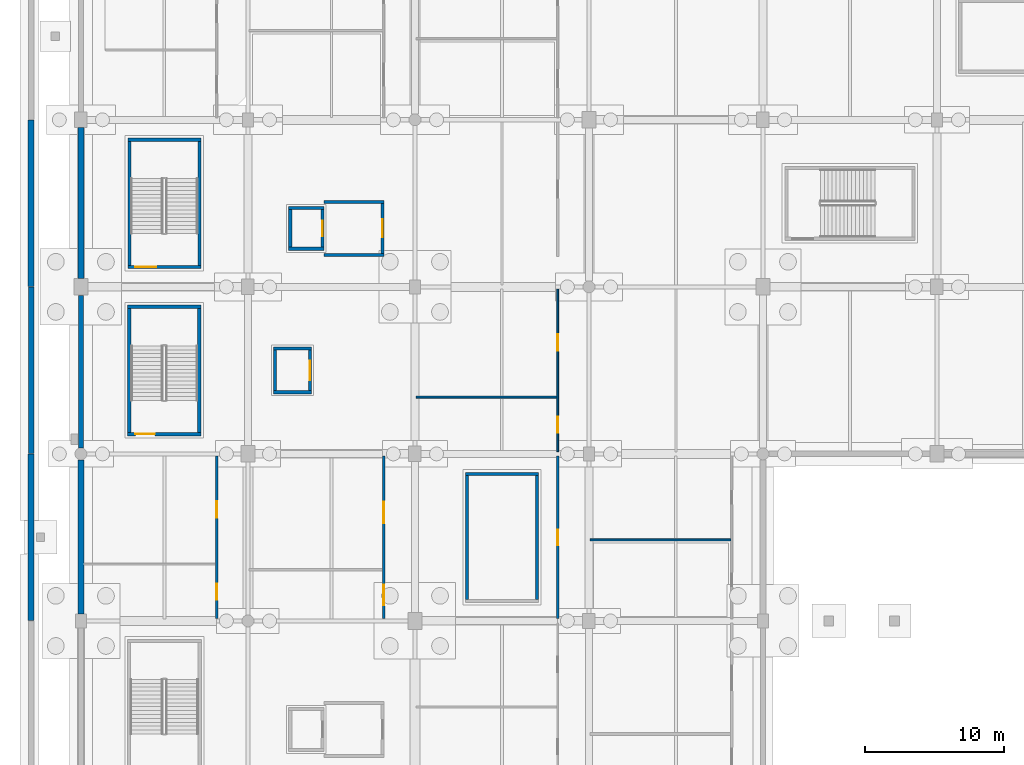
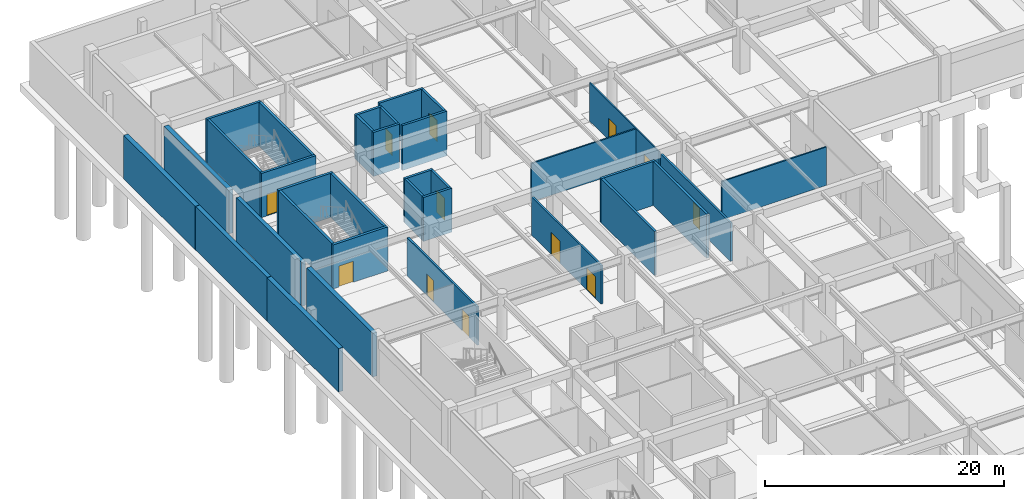
# One storey, part 34 of 56: 34 walls, 12 doors, 12 openings.
"""IFC4 building model written with IfcOpenShell, lengths in metres."""

from ifc_helpers import new_model, si_unit, direction, frame, frame_2d, origin, place, context, subcontext, project, spatial, rectangle, extrude, material, layer, layer_set, type_object, element, fill, save


model = new_model("IFC4")

# Units and contexts
model_context = context("Model", 3, precision=1e-05, world=origin(), true_north=direction((0.0, 1.0)))
body_context = subcontext(model_context, "Body", "Model", "MODEL_VIEW")
ifc_project = project(units=[si_unit("LENGTHUNIT", "METRE"), si_unit("AREAUNIT", "SQUARE_METRE"), si_unit("VOLUMEUNIT", "CUBIC_METRE"), si_unit("PLANEANGLEUNIT", "RADIAN"), si_unit("MASSUNIT", "GRAM", prefix="KILO")], contexts=[model_context])

# Site, building, storey
site_placement = place(None, origin())
site = spatial("IfcSite", under=ifc_project, at=site_placement, CompositionType="ELEMENT")
building_placement = place(site_placement, origin())
building = spatial("IfcBuilding", under=site, at=building_placement, Name="Kazenohara Klinker Stadium", CompositionType="ELEMENT")
storey_placement = place(building_placement, frame((0.0, 0.0, -4.800048828125)))
storey = spatial("IfcBuildingStorey", under=building, at=storey_placement, Name="B01", CompositionType="ELEMENT", Elevation=-4.800048828125)

# Walls
ifc_material_1 = material(Name="Concrete C40/50", Category="concrete")
ifc_layer_1 = layer(ifc_material_1, 0.39990234375)
ifc_layer_set_1 = layer_set([ifc_layer_1], Name="Concrete C40/50")
wall_type_1 = type_object("IfcWallType", Name="WAL-B01-PLINTH400", PredefinedType="USERDEFINED", material=ifc_layer_set_1)
wall_1_placement = place(storey_placement, frame((-3.580078125, 132.02001953125, 0.0), z_axis=(0.0, 0.0, 1.0), x_axis=(0.0, 1.0, 0.0)))
element("IfcWall", 1, at=wall_1_placement, inside=storey, type_object=wall_type_1, Name="Street plinth retaining wall RW04 West-12", ObjectType="RETAINING WALL", PredefinedType="USERDEFINED", context=body_context, shape_type="SweptSolid", body=[
    extrude(rectangle(XDim=11.9599609375, YDim=0.39990234375, at=frame_2d((5.97998046875, 0.0))), origin(), (0.0, 0.0, 1.0), 4.4599609375),
])
ifc_layer_2 = layer(ifc_material_1, 0.43994140625)
ifc_layer_set_2 = layer_set([ifc_layer_2], Name="Concrete C40/50")
wall_type_2 = type_object("IfcWallType", Name="WAL-B01-PLINTH440", PredefinedType="USERDEFINED", material=ifc_layer_set_2)
for number, where, z_axis, x_axis, name in (
    (2, (-3.580078125, 120.02001953125, 0.0), (0.0, 0.0, 1.0), (0.0, 1.0, 0.0), "Street plinth retaining wall RW03 West-11"),
    (3, (-3.580078125, 144.02001953125, 0.0), (0.0, 0.0, 1.0), (0.0, 1.0, 0.0), "Street plinth retaining wall RW03 West-13"),
):
    element("IfcWall", number, at=place(storey_placement, frame(where, z_axis=z_axis, x_axis=x_axis)), inside=storey, type_object=wall_type_2, Name=name, ObjectType="RETAINING WALL", PredefinedType="USERDEFINED", context=body_context, shape_type="SweptSolid", body=[
        extrude(rectangle(XDim=11.9599609375, YDim=0.43994140625, at=frame_2d((5.97998046875, 0.0))), origin(), (0.0, 0.0, 1.0), 4.4599609375),
    ])
ifc_layer_3 = layer(ifc_material_1, 0.3798828125)
ifc_layer_set_3 = layer_set([ifc_layer_3], Name="Concrete C40/50")
wall_type_3 = type_object("IfcWallType", Name="WAL-B01-RET380", PredefinedType="STANDARD", material=ifc_layer_set_3)
wall_2_placement = place(storey_placement, frame((0.0, 132.428955078125, 0.0), z_axis=(0.0, 0.0, 1.0), x_axis=(0.0, 1.0, 0.0)))
element("IfcWall", 4, at=wall_2_placement, inside=storey, type_object=wall_type_3, Name="Basement perimeter retaining wall RW02 Y-00-11", PredefinedType="STANDARD", context=body_context, shape_type="SweptSolid", body=[
    extrude(rectangle(XDim=10.967041015625, YDim=0.3798828125, at=frame_2d((5.4833984375, 0.0))), origin(), (0.0, 0.0, 1.0), 4.4599609375),
])
ifc_layer_4 = layer(ifc_material_1, 0.419921875)
ifc_layer_set_4 = layer_set([ifc_layer_4], Name="Concrete C40/50")
wall_type_4 = type_object("IfcWallType", Name="WAL-B01-RET420", PredefinedType="STANDARD", material=ifc_layer_set_4)
wall_3_placement = place(storey_placement, frame((0.0, 120.50390625, 0.0), z_axis=(0.0, 0.0, 1.0), x_axis=(0.0, 1.0, 0.0)))
element("IfcWall", 5, at=wall_3_placement, inside=storey, type_object=wall_type_4, Name="Basement perimeter retaining wall RW01 Y-00-10", PredefinedType="STANDARD", context=body_context, shape_type="SweptSolid", body=[
    extrude(rectangle(XDim=11.067138671875, YDim=0.419921875, at=frame_2d((5.53369140625, 0.0))), origin(), (0.0, 0.0, 1.0), 4.4599609375),
])
wall_4_placement = place(storey_placement, frame((0.0, 144.60400390625, 0.0), z_axis=(0.0, 0.0, 1.0), x_axis=(0.0, 1.0, 0.0)))
element("IfcWall", 6, at=wall_4_placement, inside=storey, type_object=wall_type_4, Name="Basement perimeter retaining wall RW01 Y-00-12", PredefinedType="STANDARD", context=body_context, shape_type="SweptSolid", body=[
    extrude(rectangle(XDim=10.842041015625, YDim=0.419921875, at=frame_2d((5.4208984375, 0.0))), origin(), (0.0, 0.0, 1.0), 4.4599609375),
])

# Wall, opening, door
ifc_layer_5 = layer(ifc_material_1, 0.22998046875)
ifc_layer_set_5 = layer_set([ifc_layer_5], Name="Concrete C40/50")
wall_type_5 = type_object("IfcWallType", Name="WAL-CORE-230", PredefinedType="SHEAR", material=ifc_layer_set_5)
wall_5_placement = place(storey_placement, frame((3.3701171875, 145.43505859375, 0.0), z_axis=(0.0, 0.0, 1.0), x_axis=(1.0, 0.0, 0.0)))
wall_5 = element("IfcWall", 7, at=wall_5_placement, inside=storey, type_object=wall_type_5, Name="Stairwell shear wall ST06 B01 South", PredefinedType="SHEAR", context=body_context, shape_type="SweptSolid", body=[
    extrude(rectangle(XDim=5.259765625, YDim=0.22998046875, at=frame_2d((2.6298828125, 0.0))), origin(), (0.0, 0.0, 1.0), 4.5),
])
opening_1_placement = place(wall_5_placement, frame((0.550048828125, 0.0, 0.0)))
opening_1 = element("IfcOpeningElement", 8, at=opening_1_placement, cuts=wall_5, Name="Opening SD02", PredefinedType="OPENING", context=body_context, shape_type="SweptSolid", body=[
    extrude(rectangle(XDim=1.5, YDim=2.199951171875, at=frame_2d((0.75, 1.10009765625))), frame((0.0, 0.125, 0.0), z_axis=(0.0, -1.0, 0.0), x_axis=(1.0, 0.0, 0.0)), (0.0, 0.0, 1.0), 0.25),
])
ifc_material_2 = material(Name="Flush painted steel fire door leaf", Category="steel")
door_type_1 = type_object("IfcDoorType", Name="DR-STR-1500x2200", OperationType="NOTDEFINED", PredefinedType="DOOR", material=ifc_material_2)
door_1_placement = place(opening_1_placement, origin())
door_1 = element("IfcDoor", 9, at=door_1_placement, inside=storey, type_object=door_type_1, Name="Escape stairwell fire door ST06-B01", OperationType="SINGLE_SWING_RIGHT", OverallHeight=2.199951171875, OverallWidth=1.5, PredefinedType="DOOR", context=body_context, shape_type="SweptSolid", body=[
    extrude(rectangle(XDim=1.5, YDim=2.199951171875, at=frame_2d((0.75, 1.10009765625))), frame((0.0, 0.02490234375, 0.0), z_axis=(0.0, -1.0, 0.0), x_axis=(1.0, 0.0, 0.0)), (0.0, 0.0, 1.0), 0.050048828125),
])
fill(opening_1, door_1)

# Walls
wall_6_placement = place(storey_placement, frame((3.3701171875, 154.56494140625, 0.0), z_axis=(0.0, 0.0, 1.0), x_axis=(1.0, 0.0, 0.0)))
element("IfcWall", 10, at=wall_6_placement, inside=storey, type_object=wall_type_5, Name="Stairwell shear wall ST06 B01 North", PredefinedType="SHEAR", context=body_context, shape_type="SweptSolid", body=[
    extrude(rectangle(XDim=5.259765625, YDim=0.22998046875, at=frame_2d((2.6298828125, 0.0))), origin(), (0.0, 0.0, 1.0), 4.5),
])
for number, where, z_axis, x_axis, name in (
    (11, (3.485107421875, 145.550048828125, 0.0), (0.0, 0.0, 1.0), (0.0, 1.0, 0.0), "Stairwell shear wall ST06 B01 West"),
    (12, (8.514892578125, 145.550048828125, 0.0), (0.0, 0.0, 1.0), (0.0, 1.0, 0.0), "Stairwell shear wall ST06 B01 East"),
):
    element("IfcWall", number, at=place(storey_placement, frame(where, z_axis=z_axis, x_axis=x_axis)), inside=storey, type_object=wall_type_5, Name=name, PredefinedType="SHEAR", context=body_context, shape_type="SweptSolid", body=[
        extrude(rectangle(XDim=8.89990234375, YDim=0.22998046875, at=frame_2d((4.449951171875, 0.0))), origin(), (0.0, 0.0, 1.0), 4.5),
    ])
wall_7_placement = place(storey_placement, frame((27.6201171875, 130.56494140625, 0.0), z_axis=(0.0, 0.0, 1.0), x_axis=(1.0, 0.0, 0.0)))
element("IfcWall", 13, at=wall_7_placement, inside=storey, type_object=wall_type_5, Name="Stairwell shear wall ST18 B01 North", PredefinedType="SHEAR", context=body_context, shape_type="SweptSolid", body=[
    extrude(rectangle(XDim=5.259765625, YDim=0.22998046875, at=frame_2d((2.6298828125, 0.0))), origin(), (0.0, 0.0, 1.0), 4.5),
])
for number, where, z_axis, x_axis, name in (
    (14, (27.735107421875, 121.550048828125, 0.0), (0.0, 0.0, 1.0), (0.0, 1.0, 0.0), "Stairwell shear wall ST18 B01 West"),
    (15, (32.764892578125, 121.550048828125, 0.0), (0.0, 0.0, 1.0), (0.0, 1.0, 0.0), "Stairwell shear wall ST18 B01 East"),
):
    element("IfcWall", number, at=place(storey_placement, frame(where, z_axis=z_axis, x_axis=x_axis)), inside=storey, type_object=wall_type_5, Name=name, PredefinedType="SHEAR", context=body_context, shape_type="SweptSolid", body=[
        extrude(rectangle(XDim=8.89990234375, YDim=0.22998046875, at=frame_2d((4.449951171875, 0.0))), origin(), (0.0, 0.0, 1.0), 4.5),
    ])
for number, where, z_axis, x_axis, name in (
    (16, (14.919921875, 146.735107421875, -0.64990234375), (0.0, 0.0, 1.0), (1.0, 0.0, 0.0), "Elevator shaft wall LF03 B01 South"),
    (17, (14.919921875, 149.6650390625, -0.64990234375), (0.0, 0.0, 1.0), (1.0, 0.0, 0.0), "Elevator shaft wall LF03 B01 North"),
):
    element("IfcWall", number, at=place(storey_placement, frame(where, z_axis=z_axis, x_axis=x_axis)), inside=storey, type_object=wall_type_5, Name=name, PredefinedType="SHEAR", context=body_context, shape_type="SweptSolid", body=[
        extrude(rectangle(XDim=2.56005859375, YDim=0.22998046875, at=frame_2d((1.280029296875, 0.0))), origin(), (0.0, 0.0, 1.0), 4.5),
    ])
wall_8_placement = place(storey_placement, frame((15.034912109375, 146.85009765625, -0.64990234375), z_axis=(0.0, 0.0, 1.0), x_axis=(0.0, 1.0, 0.0)))
element("IfcWall", 18, at=wall_8_placement, inside=storey, type_object=wall_type_5, Name="Elevator shaft wall LF03 B01 West", PredefinedType="SHEAR", context=body_context, shape_type="SweptSolid", body=[
    extrude(rectangle(XDim=2.699951171875, YDim=0.22998046875, at=frame_2d((1.35009765625, 0.0))), origin(), (0.0, 0.0, 1.0), 4.5),
])

# Wall, opening, door
wall_9_placement = place(storey_placement, frame((17.364990234375, 146.85009765625, -0.64990234375), z_axis=(0.0, 0.0, 1.0), x_axis=(0.0, 1.0, 0.0)))
wall_9 = element("IfcWall", 19, at=wall_9_placement, inside=storey, type_object=wall_type_5, Name="Elevator shaft wall LF03 B01 East", PredefinedType="SHEAR", context=body_context, shape_type="SweptSolid", body=[
    extrude(rectangle(XDim=2.699951171875, YDim=0.22998046875, at=frame_2d((1.35009765625, 0.0))), origin(), (0.0, 0.0, 1.0), 4.5),
])
opening_2_placement = place(wall_9_placement, frame((0.800048828125, 0.0, 0.64990234375)))
opening_2 = element("IfcOpeningElement", 20, at=opening_2_placement, cuts=wall_9, Name="Opening LD01", PredefinedType="OPENING", context=body_context, shape_type="SweptSolid", body=[
    extrude(rectangle(XDim=1.10009765625, YDim=2.14990234375, at=frame_2d((0.550048828125, 1.074951171875))), frame((0.0, 0.125, 0.0), z_axis=(0.0, -1.0, 0.0), x_axis=(1.0, 0.0, 0.0)), (0.0, 0.0, 1.0), 0.25),
])
ifc_material_3 = material(Name="Stainless steel fire-rated sliding landing door", Category="steel")
door_type_2 = type_object("IfcDoorType", Name="DR-LD01-1100x2150", OperationType="NOTDEFINED", PredefinedType="DOOR", material=ifc_material_3)
door_2_placement = place(opening_2_placement, origin())
door_2 = element("IfcDoor", 21, at=door_2_placement, inside=storey, type_object=door_type_2, Name="Elevator sliding landing door LF03-B01", OperationType="DOUBLE_DOOR_SLIDING", OverallHeight=2.14990234375, OverallWidth=1.10009765625, PredefinedType="DOOR", context=body_context, shape_type="SweptSolid", body=[
    extrude(rectangle(XDim=1.10009765625, YDim=2.14990234375, at=frame_2d((0.550048828125, 1.074951171875))), frame((0.0, 0.02490234375, 0.0), z_axis=(0.0, -1.0, 0.0), x_axis=(1.0, 0.0, 0.0)), (0.0, 0.0, 1.0), 0.050048828125),
])
fill(opening_2, door_2)

# Walls
for number, where, z_axis, x_axis, name in (
    (22, (13.820068359375, 136.43505859375, -0.64990234375), (0.0, 0.0, 1.0), (1.0, 0.0, 0.0), "Elevator shaft wall LG01 B01 South"),
    (23, (13.820068359375, 139.56494140625, -0.64990234375), (0.0, 0.0, 1.0), (1.0, 0.0, 0.0), "Elevator shaft wall LG01 B01 North"),
):
    element("IfcWall", number, at=place(storey_placement, frame(where, z_axis=z_axis, x_axis=x_axis)), inside=storey, type_object=wall_type_5, Name=name, PredefinedType="SHEAR", context=body_context, shape_type="SweptSolid", body=[
        extrude(rectangle(XDim=2.760009765625, YDim=0.22998046875, at=frame_2d((1.3798828125, 0.0))), origin(), (0.0, 0.0, 1.0), 4.5),
    ])
wall_10_placement = place(storey_placement, frame((13.93505859375, 136.550048828125, -0.64990234375), z_axis=(0.0, 0.0, 1.0), x_axis=(0.0, 1.0, 0.0)))
element("IfcWall", 24, at=wall_10_placement, inside=storey, type_object=wall_type_5, Name="Elevator shaft wall LG01 B01 West", PredefinedType="SHEAR", context=body_context, shape_type="SweptSolid", body=[
    extrude(rectangle(XDim=2.89990234375, YDim=0.22998046875, at=frame_2d((1.449951171875, 0.0))), origin(), (0.0, 0.0, 1.0), 4.5),
])

# Wall, opening, door
wall_11_placement = place(storey_placement, frame((16.465087890625, 136.550048828125, -0.64990234375), z_axis=(0.0, 0.0, 1.0), x_axis=(0.0, 1.0, 0.0)))
wall_11 = element("IfcWall", 25, at=wall_11_placement, inside=storey, type_object=wall_type_5, Name="Elevator shaft wall LG01 B01 East", PredefinedType="SHEAR", context=body_context, shape_type="SweptSolid", body=[
    extrude(rectangle(XDim=2.89990234375, YDim=0.22998046875, at=frame_2d((1.449951171875, 0.0))), origin(), (0.0, 0.0, 1.0), 4.5),
])
opening_3_placement = place(wall_11_placement, frame((0.75, 0.0, 0.64990234375)))
opening_3 = element("IfcOpeningElement", 26, at=opening_3_placement, cuts=wall_11, Name="Opening LD03", PredefinedType="OPENING", context=body_context, shape_type="SweptSolid", body=[
    extrude(rectangle(XDim=1.39990234375, YDim=2.25, at=frame_2d((0.699951171875, 1.125))), frame((0.0, 0.125, 0.0), z_axis=(0.0, -1.0, 0.0), x_axis=(1.0, 0.0, 0.0)), (0.0, 0.0, 1.0), 0.25),
])
ifc_material_4 = material(Name="Heavy-duty stainless steel sliding goods landing door", Category="steel")
door_type_3 = type_object("IfcDoorType", Name="DR-LD03-1400x2250", OperationType="NOTDEFINED", PredefinedType="DOOR", material=ifc_material_4)
door_3_placement = place(opening_3_placement, origin())
door_3 = element("IfcDoor", 27, at=door_3_placement, inside=storey, type_object=door_type_3, Name="Elevator sliding landing door LG01-B01", OperationType="DOUBLE_DOOR_SLIDING", OverallHeight=2.25, OverallWidth=1.39990234375, PredefinedType="DOOR", context=body_context, shape_type="SweptSolid", body=[
    extrude(rectangle(XDim=1.39990234375, YDim=2.25, at=frame_2d((0.699951171875, 1.125))), frame((0.0, 0.02490234375, 0.0), z_axis=(0.0, -1.0, 0.0), x_axis=(1.0, 0.0, 0.0)), (0.0, 0.0, 1.0), 0.050048828125),
])
fill(opening_3, door_3)

ifc_layer_6 = layer(ifc_material_1, 0.25)
ifc_layer_set_6 = layer_set([ifc_layer_6], Name="Concrete C40/50")
wall_type_6 = type_object("IfcWallType", Name="WAL-CORE-250", PredefinedType="SHEAR", material=ifc_layer_set_6)
wall_12_placement = place(storey_placement, frame((3.360107421875, 133.425048828125, 0.0), z_axis=(0.0, 0.0, 1.0), x_axis=(1.0, 0.0, 0.0)))
wall_12 = element("IfcWall", 28, at=wall_12_placement, inside=storey, type_object=wall_type_6, Name="Stairwell shear wall ST05 B01 South", PredefinedType="SHEAR", context=body_context, shape_type="SweptSolid", body=[
    extrude(rectangle(XDim=5.27978515625, YDim=0.25, at=frame_2d((2.639892578125, 0.0))), origin(), (0.0, 0.0, 1.0), 4.5),
])
opening_4_placement = place(wall_12_placement, frame((0.550048828125, 0.0, 0.0)))
opening_4 = element("IfcOpeningElement", 29, at=opening_4_placement, cuts=wall_12, Name="Opening SD01", PredefinedType="OPENING", context=body_context, shape_type="SweptSolid", body=[
    extrude(rectangle(XDim=1.39990234375, YDim=2.14990234375, at=frame_2d((0.699951171875, 1.074951171875))), frame((0.0, 0.135009765625, 0.0), z_axis=(0.0, -1.0, 0.0), x_axis=(1.0, 0.0, 0.0)), (0.0, 0.0, 1.0), 0.27001953125),
])
door_type_4 = type_object("IfcDoorType", Name="DR-STR-1400x2150", OperationType="NOTDEFINED", PredefinedType="DOOR", material=ifc_material_2)
door_4_placement = place(opening_4_placement, origin())
door_4 = element("IfcDoor", 30, at=door_4_placement, inside=storey, type_object=door_type_4, Name="Escape stairwell fire door ST05-B01", OperationType="SINGLE_SWING_LEFT", OverallHeight=2.14990234375, OverallWidth=1.39990234375, PredefinedType="DOOR", context=body_context, shape_type="SweptSolid", body=[
    extrude(rectangle(XDim=1.39990234375, YDim=2.14990234375, at=frame_2d((0.699951171875, 1.074951171875))), frame((0.0, 0.02490234375, 0.0), z_axis=(0.0, -1.0, 0.0), x_axis=(1.0, 0.0, 0.0)), (0.0, 0.0, 1.0), 0.050048828125),
])
fill(opening_4, door_4)

# Walls
wall_13_placement = place(storey_placement, frame((3.360107421875, 142.574951171875, 0.0), z_axis=(0.0, 0.0, 1.0), x_axis=(1.0, 0.0, 0.0)))
element("IfcWall", 31, at=wall_13_placement, inside=storey, type_object=wall_type_6, Name="Stairwell shear wall ST05 B01 North", PredefinedType="SHEAR", context=body_context, shape_type="SweptSolid", body=[
    extrude(rectangle(XDim=5.27978515625, YDim=0.25, at=frame_2d((2.639892578125, 0.0))), origin(), (0.0, 0.0, 1.0), 4.5),
])
for number, where, z_axis, x_axis, name in (
    (32, (3.485107421875, 133.550048828125, 0.0), (0.0, 0.0, 1.0), (0.0, 1.0, 0.0), "Stairwell shear wall ST05 B01 West"),
    (33, (8.514892578125, 133.550048828125, 0.0), (0.0, 0.0, 1.0), (0.0, 1.0, 0.0), "Stairwell shear wall ST05 B01 East"),
):
    element("IfcWall", number, at=place(storey_placement, frame(where, z_axis=z_axis, x_axis=x_axis)), inside=storey, type_object=wall_type_6, Name=name, PredefinedType="SHEAR", context=body_context, shape_type="SweptSolid", body=[
        extrude(rectangle(XDim=8.89990234375, YDim=0.25, at=frame_2d((4.449951171875, 0.0))), origin(), (0.0, 0.0, 1.0), 4.5),
    ])
ifc_layer_7 = layer(ifc_material_1, 0.219970703125)
ifc_layer_set_7 = layer_set([ifc_layer_7], Name="Concrete C40/50")
wall_type_7 = type_object("IfcWallType", Name="WAL-INT-FF220", PredefinedType="SOLIDWALL", material=ifc_layer_set_7)
for number, where, z_axis, x_axis, name in (
    (34, (17.47998046875, 146.2900390625, -0.64990234375), (0.0, 0.0, 1.0), (1.0, 0.0, 0.0), "Firefighting lobby wall LF03 B01 South"),
    (35, (17.47998046875, 150.110107421875, -0.64990234375), (0.0, 0.0, 1.0), (1.0, 0.0, 0.0), "Firefighting lobby wall LF03 B01 North"),
):
    element("IfcWall", number, at=place(storey_placement, frame(where, z_axis=z_axis, x_axis=x_axis)), inside=storey, type_object=wall_type_7, Name=name, PredefinedType="SOLIDWALL", context=body_context, shape_type="SweptSolid", body=[
        extrude(rectangle(XDim=4.2900390625, YDim=0.219970703125, at=frame_2d((2.14501953125, 0.0))), origin(), (0.0, 0.0, 1.0), 4.570068359375),
    ])

# Wall, opening, door
wall_14_placement = place(storey_placement, frame((21.659912109375, 146.39990234375, -0.64990234375), z_axis=(0.0, 0.0, 1.0), x_axis=(0.0, 1.0, 0.0)))
wall_14 = element("IfcWall", 36, at=wall_14_placement, inside=storey, type_object=wall_type_7, Name="Firefighting lobby front wall LF03 B01", PredefinedType="SOLIDWALL", context=body_context, shape_type="SweptSolid", body=[
    extrude(rectangle(XDim=3.60009765625, YDim=0.219970703125, at=frame_2d((1.800048828125, 0.0))), origin(), (0.0, 0.0, 1.0), 4.570068359375),
])
opening_5_placement = place(wall_14_placement, frame((1.14990234375, 0.0, 0.64990234375)))
opening_5 = element("IfcOpeningElement", 37, at=opening_5_placement, cuts=wall_14, Name="Opening FD01", PredefinedType="OPENING", context=body_context, shape_type="SweptSolid", body=[
    extrude(rectangle(XDim=1.300048828125, YDim=2.14990234375, at=frame_2d((0.64990234375, 1.074951171875))), frame((0.0, 0.1201171875, 0.0), z_axis=(0.0, -1.0, 0.0), x_axis=(1.0, 0.0, 0.0)), (0.0, 0.0, 1.0), 0.239990234375),
])
ifc_material_5 = material(Name="Smoke-sealed steel fire lobby door", Category="steel")
door_type_5 = type_object("IfcDoorType", Name="DR-FFL-1300x2150", OperationType="NOTDEFINED", PredefinedType="DOOR", material=ifc_material_5)
door_5_placement = place(opening_5_placement, origin())
door_5 = element("IfcDoor", 38, at=door_5_placement, inside=storey, type_object=door_type_5, Name="Firefighting lobby smoke-sealed door LF03-B01", OperationType="SINGLE_SWING_LEFT", OverallHeight=2.14990234375, OverallWidth=1.300048828125, PredefinedType="DOOR", context=body_context, shape_type="SweptSolid", body=[
    extrude(rectangle(XDim=1.300048828125, YDim=2.14990234375, at=frame_2d((0.64990234375, 1.074951171875))), frame((0.0, 0.02490234375, 0.0), z_axis=(0.0, -1.0, 0.0), x_axis=(1.0, 0.0, 0.0)), (0.0, 0.0, 1.0), 0.050048828125),
])
fill(opening_5, door_5)

# Wall, openings, doors
ifc_material_6 = material(Name="Fire-rated gypsum board on acoustic studs", Category="gypsum")
ifc_layer_8 = layer(ifc_material_6, 0.1201171875)
ifc_layer_set_8 = layer_set([ifc_layer_8], Name="Fire-rated gypsum board on acoustic studs")
wall_type_8 = type_object("IfcWallType", Name="WAL-INT-P120", PredefinedType="PARTITIONING", material=ifc_layer_set_8)
wall_15_placement = place(storey_placement, frame((34.260009765625, 132.159912109375, 0.0), z_axis=(0.0, 0.0, 1.0), x_axis=(0.0, 1.0, 0.0)))
wall_15 = element("IfcWall", 39, at=wall_15_placement, inside=storey, type_object=wall_type_8, Name="Interior partition wall PT02 SPC-B01-02-11-1-1", PredefinedType="PARTITIONING", context=body_context, shape_type="SweptSolid", body=[
    extrude(rectangle(XDim=11.68017578125, YDim=0.1201171875, at=frame_2d((5.840087890625, 0.0))), origin(), (0.0, 0.0, 1.0), 3.920166015625),
])
opening_6_placement = place(wall_15_placement, frame((1.34716796875, 0.0, 0.0)))
opening_6 = element("IfcOpeningElement", 40, at=opening_6_placement, cuts=wall_15, Name="Opening ID10", PredefinedType="OPENING", context=body_context, shape_type="SweptSolid", body=[
    extrude(rectangle(XDim=1.14990234375, YDim=2.14990234375, at=frame_2d((0.574951171875, 1.074951171875))), frame((0.0, 0.070068359375, 0.0), z_axis=(0.0, -1.0, 0.0), x_axis=(1.0, 0.0, 0.0)), (0.0, 0.0, 1.0), 0.14013671875),
])
opening_7_placement = place(wall_15_placement, frame((7.252197265625, 0.0, 0.0)))
opening_7 = element("IfcOpeningElement", 41, at=opening_7_placement, cuts=wall_15, Name="Opening ID11", PredefinedType="OPENING", context=body_context, shape_type="SweptSolid", body=[
    extrude(rectangle(XDim=1.179931640625, YDim=2.199951171875, at=frame_2d((0.58984375, 1.10009765625))), frame((0.0, 0.070068359375, 0.0), z_axis=(0.0, -1.0, 0.0), x_axis=(1.0, 0.0, 0.0)), (0.0, 0.0, 1.0), 0.14013671875),
])
ifc_material_7 = material(Name="Solid-core Hokkaido oak fire door", Category="wood")
door_type_6 = type_object("IfcDoorType", Name="DR-INT-10", OperationType="NOTDEFINED", PredefinedType="DOOR", material=ifc_material_7)
door_6_placement = place(opening_6_placement, origin())
door_6 = element("IfcDoor", 42, at=door_6_placement, inside=storey, type_object=door_type_6, Name="Interior door ID10 Emergency Diesel Generator Plant B01-0211A", OperationType="SINGLE_SWING_LEFT", OverallHeight=2.14990234375, OverallWidth=1.14990234375, PredefinedType="DOOR", context=body_context, shape_type="SweptSolid", body=[
    extrude(rectangle(XDim=1.14990234375, YDim=2.14990234375, at=frame_2d((0.574951171875, 1.074951171875))), frame((0.0, 0.02490234375, 0.0), z_axis=(0.0, -1.0, 0.0), x_axis=(1.0, 0.0, 0.0)), (0.0, 0.0, 1.0), 0.050048828125),
])
fill(opening_6, door_6)
door_type_7 = type_object("IfcDoorType", Name="DR-INT-11", OperationType="NOTDEFINED", PredefinedType="DOOR", material=ifc_material_7)
door_7_placement = place(opening_7_placement, origin())
door_7 = element("IfcDoor", 43, at=door_7_placement, inside=storey, type_object=door_type_7, Name="Interior door ID11 Visiting-Club Athlete Changing Room B01-0211B", OperationType="SINGLE_SWING_RIGHT", OverallHeight=2.199951171875, OverallWidth=1.179931640625, PredefinedType="DOOR", context=body_context, shape_type="SweptSolid", body=[
    extrude(rectangle(XDim=1.179931640625, YDim=2.199951171875, at=frame_2d((0.58984375, 1.10009765625))), frame((0.0, 0.02490234375, 0.0), z_axis=(0.0, -1.0, 0.0), x_axis=(1.0, 0.0, 0.0)), (0.0, 0.0, 1.0), 0.050048828125),
])
fill(opening_7, door_7)

# Walls
ifc_layer_9 = layer(ifc_material_6, 0.139892578125)
ifc_layer_set_9 = layer_set([ifc_layer_9], Name="Fire-rated gypsum board on acoustic studs")
wall_type_9 = type_object("IfcWallType", Name="WAL-INT-P140", PredefinedType="PARTITIONING", material=ifc_layer_set_9)
for number, where, z_axis, x_axis, name in (
    (44, (24.080078125, 136.08447265625, 0.0), (0.0, 0.0, 1.0), (1.0, 0.0, 0.0), "Interior partition wall PT03 SPC-B01-02-11-1-2"),
    (45, (36.580078125, 125.82470703125, 0.0), (0.0, 0.0, 1.0), (1.0, 0.0, 0.0), "Interior partition wall PT03 SPC-B01-03-10-1-2"),
):
    element("IfcWall", number, at=place(storey_placement, frame(where, z_axis=z_axis, x_axis=x_axis)), inside=storey, type_object=wall_type_9, Name=name, PredefinedType="PARTITIONING", context=body_context, shape_type="SweptSolid", body=[
        extrude(rectangle(XDim=10.114990234375, YDim=0.139892578125, at=frame_2d((5.0576171875, 0.0))), origin(), (0.0, 0.0, 1.0), 3.920166015625),
    ])

# Wall, openings, doors
ifc_layer_10 = layer(ifc_material_6, 0.169921875)
ifc_layer_set_10 = layer_set([ifc_layer_10], Name="Fire-rated gypsum board on acoustic studs")
wall_type_10 = type_object("IfcWallType", Name="WAL-INT-P170", PredefinedType="PARTITIONING", material=ifc_layer_set_10)
wall_16_placement = place(storey_placement, frame((21.760009765625, 120.159912109375, 0.0), z_axis=(0.0, 0.0, 1.0), x_axis=(0.0, 1.0, 0.0)))
wall_16 = element("IfcWall", 46, at=wall_16_placement, inside=storey, type_object=wall_type_10, Name="Interior partition wall PT05 SPC-B01-01-10-1-1", PredefinedType="PARTITIONING", context=body_context, shape_type="SweptSolid", body=[
    extrude(rectangle(XDim=11.68017578125, YDim=0.169921875, at=frame_2d((5.840087890625, 0.0))), origin(), (0.0, 0.0, 1.0), 3.920166015625),
])
opening_8_placement = place(wall_16_placement, frame((0.971923828125, 0.0, 0.0)))
opening_8 = element("IfcOpeningElement", 47, at=opening_8_placement, cuts=wall_16, Name="Opening ID20", PredefinedType="OPENING", context=body_context, shape_type="SweptSolid", body=[
    extrude(rectangle(XDim=1.47998046875, YDim=2.239990234375, at=frame_2d((0.739990234375, 1.1201171875))), frame((0.0, 0.094970703125, 0.0), z_axis=(0.0, -1.0, 0.0), x_axis=(1.0, 0.0, 0.0)), (0.0, 0.0, 1.0), 0.18994140625),
])
opening_9_placement = place(wall_16_placement, frame((6.8720703125, 0.0, 0.0)))
opening_9 = element("IfcOpeningElement", 48, at=opening_9_placement, cuts=wall_16, Name="Opening ID21", PredefinedType="OPENING", context=body_context, shape_type="SweptSolid", body=[
    extrude(rectangle(XDim=1.52001953125, YDim=2.280029296875, at=frame_2d((0.760009765625, 1.14013671875))), frame((0.0, 0.094970703125, 0.0), z_axis=(0.0, -1.0, 0.0), x_axis=(1.0, 0.0, 0.0)), (0.0, 0.0, 1.0), 0.18994140625),
])
ifc_material_8 = material(Name="Painted steel plant fire door", Category="steel")
door_type_8 = type_object("IfcDoorType", Name="DR-INT-20", OperationType="NOTDEFINED", PredefinedType="DOOR", material=ifc_material_8)
door_8_placement = place(opening_8_placement, origin())
door_8 = element("IfcDoor", 49, at=door_8_placement, inside=storey, type_object=door_type_8, Name="Interior door ID20 Electrical Switchgear Plant B01-0110A", OperationType="SINGLE_SWING_LEFT", OverallHeight=2.239990234375, OverallWidth=1.47998046875, PredefinedType="DOOR", context=body_context, shape_type="SweptSolid", body=[
    extrude(rectangle(XDim=1.47998046875, YDim=2.239990234375, at=frame_2d((0.739990234375, 1.1201171875))), frame((0.0, 0.02490234375, 0.0), z_axis=(0.0, -1.0, 0.0), x_axis=(1.0, 0.0, 0.0)), (0.0, 0.0, 1.0), 0.050048828125),
])
fill(opening_8, door_8)
door_type_9 = type_object("IfcDoorType", Name="DR-INT-21", OperationType="NOTDEFINED", PredefinedType="DOOR", material=ifc_material_8)
door_9_placement = place(opening_9_placement, origin())
door_9 = element("IfcDoor", 50, at=door_9_placement, inside=storey, type_object=door_type_9, Name="Interior door ID21 Indoor Turf Sprint Training Arena B01-0110B", OperationType="SINGLE_SWING_RIGHT", OverallHeight=2.280029296875, OverallWidth=1.52001953125, PredefinedType="DOOR", context=body_context, shape_type="SweptSolid", body=[
    extrude(rectangle(XDim=1.52001953125, YDim=2.280029296875, at=frame_2d((0.760009765625, 1.14013671875))), frame((0.0, 0.02490234375, 0.0), z_axis=(0.0, -1.0, 0.0), x_axis=(1.0, 0.0, 0.0)), (0.0, 0.0, 1.0), 0.050048828125),
])
fill(opening_9, door_9)

ifc_layer_11 = layer(ifc_material_6, 0.18994140625)
ifc_layer_set_11 = layer_set([ifc_layer_11], Name="Fire-rated gypsum board on acoustic studs")
wall_type_11 = type_object("IfcWallType", Name="WAL-INT-P190", PredefinedType="PARTITIONING", material=ifc_layer_set_11)
wall_17_placement = place(storey_placement, frame((9.760009765625, 120.159912109375, 0.0), z_axis=(0.0, 0.0, 1.0), x_axis=(0.0, 1.0, 0.0)))
wall_17 = element("IfcWall", 51, at=wall_17_placement, inside=storey, type_object=wall_type_11, Name="Interior partition wall PT06 SPC-B01-00-10-1-1", PredefinedType="PARTITIONING", context=body_context, shape_type="SweptSolid", body=[
    extrude(rectangle(XDim=11.68017578125, YDim=0.18994140625, at=frame_2d((5.840087890625, 0.0))), origin(), (0.0, 0.0, 1.0), 3.920166015625),
])
opening_10_placement = place(wall_17_placement, frame((1.34716796875, 0.0, 0.0)))
opening_10 = element("IfcOpeningElement", 52, at=opening_10_placement, cuts=wall_17, Name="Opening ID10", PredefinedType="OPENING", context=body_context, shape_type="SweptSolid", body=[
    extrude(rectangle(XDim=1.14990234375, YDim=2.14990234375, at=frame_2d((0.574951171875, 1.074951171875))), frame((0.0, 0.10498046875, 0.0), z_axis=(0.0, -1.0, 0.0), x_axis=(1.0, 0.0, 0.0)), (0.0, 0.0, 1.0), 0.2099609375),
])
opening_11_placement = place(wall_17_placement, frame((7.252197265625, 0.0, 0.0)))
opening_11 = element("IfcOpeningElement", 53, at=opening_11_placement, cuts=wall_17, Name="Opening ID11", PredefinedType="OPENING", context=body_context, shape_type="SweptSolid", body=[
    extrude(rectangle(XDim=1.179931640625, YDim=2.199951171875, at=frame_2d((0.58984375, 1.10009765625))), frame((0.0, 0.10498046875, 0.0), z_axis=(0.0, -1.0, 0.0), x_axis=(1.0, 0.0, 0.0)), (0.0, 0.0, 1.0), 0.2099609375),
])
door_10_placement = place(opening_10_placement, origin())
door_10 = element("IfcDoor", 54, at=door_10_placement, inside=storey, type_object=door_type_6, Name="Interior door ID10 Emergency Diesel Generator Plant B01-0010A", OperationType="SINGLE_SWING_LEFT", OverallHeight=2.14990234375, OverallWidth=1.14990234375, PredefinedType="DOOR", context=body_context, shape_type="SweptSolid", body=[
    extrude(rectangle(XDim=1.14990234375, YDim=2.14990234375, at=frame_2d((0.574951171875, 1.074951171875))), frame((0.0, 0.02490234375, 0.0), z_axis=(0.0, -1.0, 0.0), x_axis=(1.0, 0.0, 0.0)), (0.0, 0.0, 1.0), 0.050048828125),
])
fill(opening_10, door_10)
door_11_placement = place(opening_11_placement, origin())
door_11 = element("IfcDoor", 55, at=door_11_placement, inside=storey, type_object=door_type_7, Name="Interior door ID11 Doping Control Medical Laboratory B01-0010B", OperationType="SINGLE_SWING_RIGHT", OverallHeight=2.199951171875, OverallWidth=1.179931640625, PredefinedType="DOOR", context=body_context, shape_type="SweptSolid", body=[
    extrude(rectangle(XDim=1.179931640625, YDim=2.199951171875, at=frame_2d((0.58984375, 1.10009765625))), frame((0.0, 0.02490234375, 0.0), z_axis=(0.0, -1.0, 0.0), x_axis=(1.0, 0.0, 0.0)), (0.0, 0.0, 1.0), 0.050048828125),
])
fill(opening_11, door_11)

# Wall, opening, door
wall_18_placement = place(storey_placement, frame((34.260009765625, 120.159912109375, 0.0), z_axis=(0.0, 0.0, 1.0), x_axis=(0.0, 1.0, 0.0)))
wall_18 = element("IfcWall", 56, at=wall_18_placement, inside=storey, type_object=wall_type_11, Name="Interior partition wall PT06 SPC-B01-02-10-1-1", PredefinedType="PARTITIONING", context=body_context, shape_type="SweptSolid", body=[
    extrude(rectangle(XDim=11.68017578125, YDim=0.18994140625, at=frame_2d((5.840087890625, 0.0))), origin(), (0.0, 0.0, 1.0), 3.920166015625),
])
opening_12_placement = place(wall_18_placement, frame((5.280029296875, 0.0, 0.0)))
opening_12 = element("IfcOpeningElement", 57, at=opening_12_placement, cuts=wall_18, Name="Opening ID09", PredefinedType="OPENING", context=body_context, shape_type="SweptSolid", body=[
    extrude(rectangle(XDim=1.1201171875, YDim=2.179931640625, at=frame_2d((0.56005859375, 1.08984375))), frame((0.0, 0.10498046875, 0.0), z_axis=(0.0, -1.0, 0.0), x_axis=(1.0, 0.0, 0.0)), (0.0, 0.0, 1.0), 0.2099609375),
])
door_type_10 = type_object("IfcDoorType", Name="DR-INT-09", OperationType="NOTDEFINED", PredefinedType="DOOR", material=ifc_material_7)
door_12_placement = place(opening_12_placement, origin())
door_12 = element("IfcDoor", 58, at=door_12_placement, inside=storey, type_object=door_type_10, Name="Interior door ID09 Doping Control Medical Laboratory B01-0210A", OperationType="SINGLE_SWING_RIGHT", OverallHeight=2.179931640625, OverallWidth=1.1201171875, PredefinedType="DOOR", context=body_context, shape_type="SweptSolid", body=[
    extrude(rectangle(XDim=1.1201171875, YDim=2.179931640625, at=frame_2d((0.56005859375, 1.08984375))), frame((0.0, 0.02490234375, 0.0), z_axis=(0.0, -1.0, 0.0), x_axis=(1.0, 0.0, 0.0)), (0.0, 0.0, 1.0), 0.050048828125),
])
fill(opening_12, door_12)

save(model, "model.ifc")
